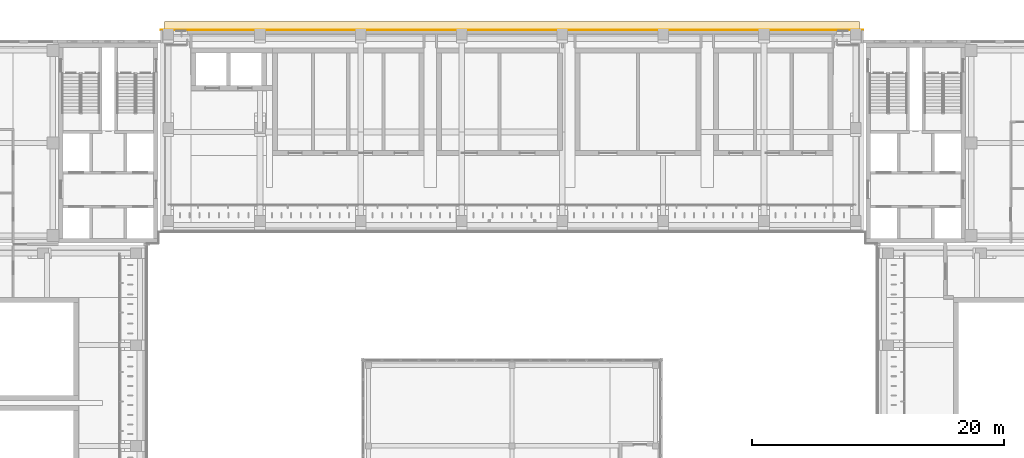
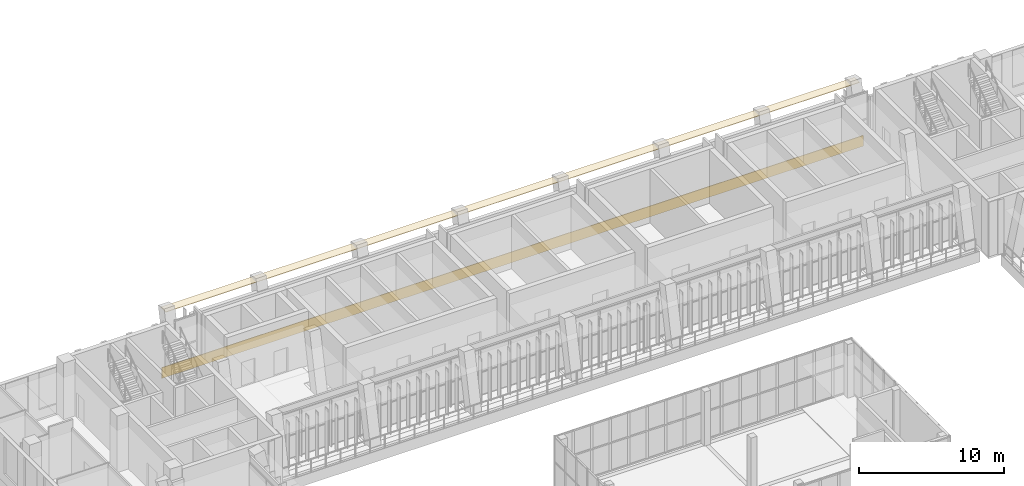
# One storey, part 88 of 92: 2 coverings.
"""IFC4 building model written with IfcOpenShell, lengths in metres."""

from ifc_helpers import new_model, si_unit, direction, frame, frame_2d, origin, place, context, subcontext, project, spatial, rectangle, extrude, material, layer, layer_set, type_object, element, save


model = new_model("IFC4")

# Units and contexts
model_context = context("Model", 3, precision=1e-05, world=origin(), true_north=direction((0.0, 1.0)))
body_context = subcontext(model_context, "Body", "Model", "MODEL_VIEW")
ifc_project = project(units=[si_unit("LENGTHUNIT", "METRE"), si_unit("AREAUNIT", "SQUARE_METRE"), si_unit("VOLUMEUNIT", "CUBIC_METRE"), si_unit("PLANEANGLEUNIT", "RADIAN"), si_unit("MASSUNIT", "GRAM", prefix="KILO")], contexts=[model_context])

# Site, building, storey
site_placement = place(None, origin())
site = spatial("IfcSite", under=ifc_project, at=site_placement, CompositionType="ELEMENT")
building_placement = place(site_placement, origin())
building = spatial("IfcBuilding", under=site, at=building_placement, Name="Lantern Court Media Centre", CompositionType="ELEMENT")
storey_placement = place(building_placement, frame((0.0, 0.0, 4.800048828125)))
storey = spatial("IfcBuildingStorey", under=building, at=storey_placement, Name="L01", CompositionType="ELEMENT", Elevation=4.800048828125)

# Coverings
ifc_material_1 = material(Name="White glass-fibre reinforced cement cladding", Category="concrete")
ifc_layer_1 = layer(ifc_material_1, 0.050048828125)
ifc_layer_set_1 = layer_set([ifc_layer_1], Name="White glass-fibre reinforced cement cladding")
covering_type_1 = type_object("IfcCoveringType", Name="Floor-edge band 50", PredefinedType="CLADDING", material=ifc_layer_set_1)
covering_1_placement = place(storey_placement, frame((24.10009765625, 113.02490234375, -0.900146484375), z_axis=(0.0, 0.0, 1.0), x_axis=(1.0, 0.0, 0.0)))
element("IfcCovering", 1, at=covering_1_placement, inside=storey, type_object=covering_type_1, Name="Floor-edge band N outer L01", PredefinedType="CLADDING", context=body_context, shape_type="SweptSolid", body=[
    extrude(rectangle(XDim=55.7998046875, YDim=0.050048828125, at=frame_2d((27.89990234375, 0.0))), origin(), (0.0, 0.0, 1.0), 0.900146484375),
])
ifc_material_2 = material(Name="White fibre cement soffit board")
ifc_layer_2 = layer(ifc_material_2, 0.0400390625)
ifc_layer_set_2 = layer_set([ifc_layer_2], Name="White fibre cement soffit board")
covering_type_2 = type_object("IfcCoveringType", Name="Soffit lining 40", PredefinedType="CLADDING", material=ifc_layer_set_2)
covering_2_placement = place(storey_placement, frame((24.39990234375, 113.35009765625, 4.5400390625), z_axis=(0.0, 0.0, 1.0), x_axis=(1.0, 0.0, 0.0)))
element("IfcCovering", 2, at=covering_2_placement, inside=storey, type_object=covering_type_2, Name="Soffit lining N L01", PredefinedType="CLADDING", context=body_context, shape_type="SweptSolid", body=[
    extrude(rectangle(XDim=55.2001953125, YDim=0.699951171875, at=frame_2d((27.60009765625, 0.0))), origin(), (0.0, 0.0, 1.0), 0.039794921875),
])

save(model, "model.ifc")
